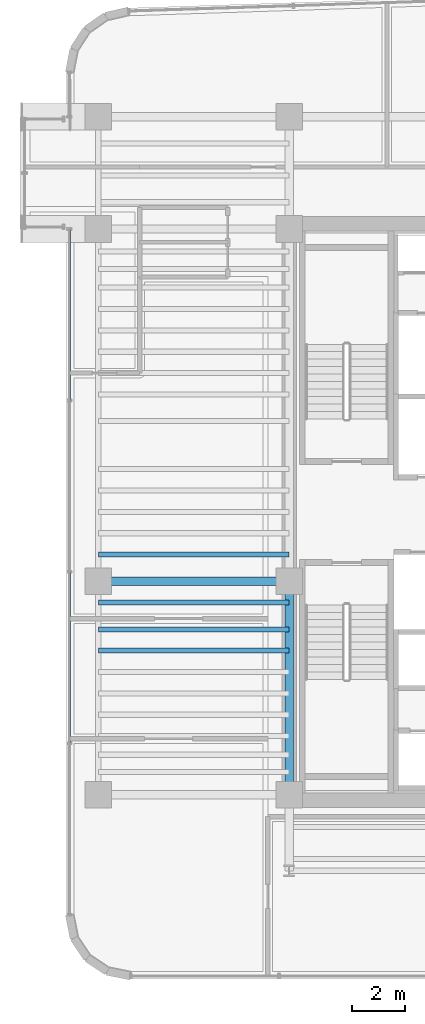
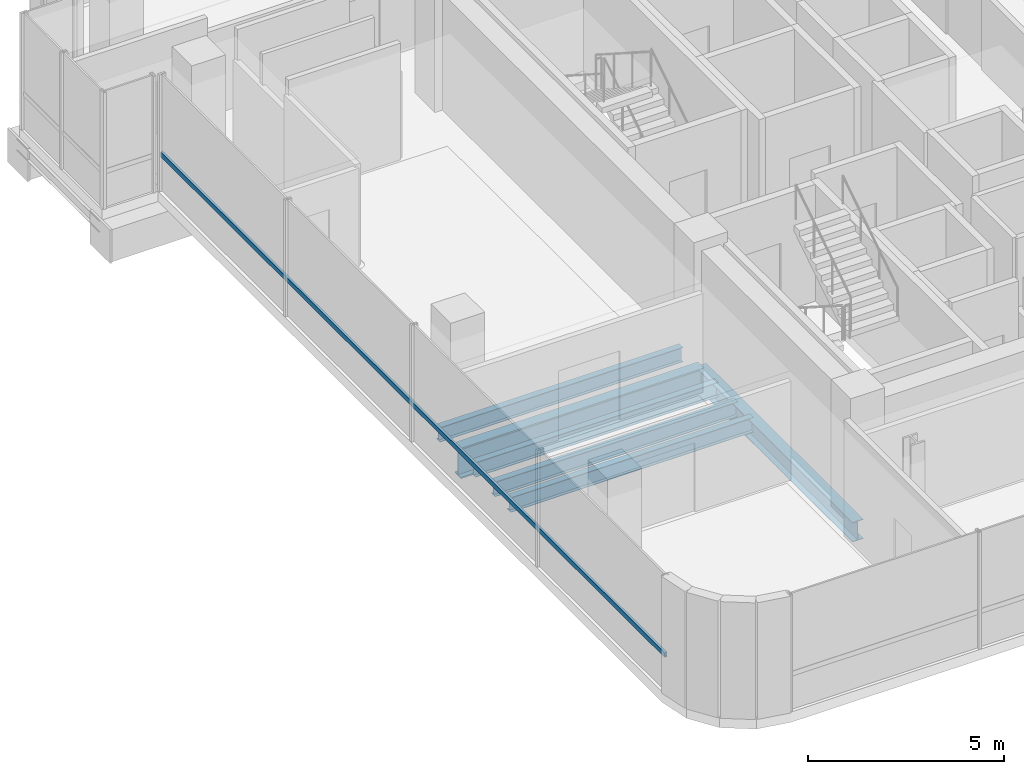
# One storey, part 5 of 37: 6 beams, 1 member, 1 element without a shape of its own.
"""IFC4 building model written with IfcOpenShell, lengths in metres."""

from ifc_helpers import new_model, si_unit, direction, frame, origin, origin_2d, place, context, subcontext, project, spatial, hollow_rectangle, i_section, extrude, source, transform, mapped, material, material_profile, profile_set, type_object, element, aggregate, save


model = new_model("IFC4")

# Units and contexts
model_context = context("Model", 3, precision=1e-05, world=origin(), true_north=direction((0.0, 1.0)))
body_context = subcontext(model_context, "Body", "Model", "MODEL_VIEW")
ifc_project = project(units=[si_unit("LENGTHUNIT", "METRE"), si_unit("AREAUNIT", "SQUARE_METRE"), si_unit("VOLUMEUNIT", "CUBIC_METRE"), si_unit("PLANEANGLEUNIT", "RADIAN"), si_unit("MASSUNIT", "GRAM", prefix="KILO")], contexts=[model_context])

# Site, building, storey
site_placement = place(None, origin())
site = spatial("IfcSite", under=ifc_project, at=site_placement, CompositionType="ELEMENT")
building_placement = place(site_placement, origin())
building = spatial("IfcBuilding", under=site, at=building_placement, Name="Valdorenza Pilgrim Sanctuary Tower", CompositionType="ELEMENT")
storey_placement = place(building_placement, frame((0.0, 0.0, 188.39990234375)))
storey = spatial("IfcBuildingStorey", under=building, at=storey_placement, Name="L48", CompositionType="ELEMENT", Elevation=188.39990234375)

# Beams
ifc_material_1 = material(Name="Steel ASTM A992 Grade 50", Category="steel")
ifc_material_profile_1 = material_profile(ifc_material_1, i_section(OverallWidth=0.323974609375, OverallDepth=0.611083984375, WebThickness=0.0126953125, FlangeThickness=0.01904296875, at=origin_2d()), Name="W24X104")
ifc_profile_set_1 = profile_set([ifc_material_profile_1], Name="Steel ASTM A992 Grade 50")
beam_type_1 = type_object("IfcBeamType", Name="STR-BM-GRD-W24B", PredefinedType="BEAM", material=ifc_profile_set_1)
shared_shape_1 = source(origin(), body_context, "Body", "SweptSolid", [
    extrude(i_section(OverallWidth=0.323974609375, OverallDepth=0.611083984375, WebThickness=0.0126953125, FlangeThickness=0.01904296875, at=origin_2d()), origin(), (0.0, 0.0, 1.0), 8.0),
])
beam_1_placement = place(storey_placement, frame((-22.64990234375, -10.60009765625, -0.62548828125), z_axis=(0.0, 1.0, 0.0), x_axis=(-1.0, 0.0, 0.0)))
element("IfcBeam", 1, at=beam_1_placement, inside=storey, type_object=beam_type_1, Name="L48 Core Tie Girder CA-W-S1M0", PredefinedType="BEAM", context=body_context, shape_type="MappedRepresentation", body=[
    mapped(shared_shape_1, transform((0.0, 0.0, 0.0), x_axis=(1.0, 0.0, 0.0), y_axis=(0.0, 1.0, 0.0), z_axis=(0.0, 0.0, 1.0), scale=1.0)),
])
ifc_material_profile_2 = material_profile(ifc_material_1, i_section(OverallWidth=0.19091796875, OverallDepth=0.45703125, WebThickness=0.009033203125, FlangeThickness=0.014404296875, at=origin_2d()), Name="W18X50")
ifc_profile_set_2 = profile_set([ifc_material_profile_2], Name="Steel ASTM A992 Grade 50")
beam_type_2 = type_object("IfcBeamType", Name="STR-BM-JST-W18B", PredefinedType="JOIST", material=ifc_profile_set_2)
shared_shape_2 = source(origin(), body_context, "Body", "SweptSolid", [
    extrude(i_section(OverallWidth=0.19091796875, OverallDepth=0.45703125, WebThickness=0.009033203125, FlangeThickness=0.014404296875, at=origin_2d()), origin(), (0.0, 0.0, 1.0), 7.150146484375),
])
for number, where, z_axis, x_axis, name in (
    (2, (-29.800048828125, -5.199951171875, -0.54833984375), (1.0, 0.0, 0.0), (0.0, 1.0, 0.0), "L48 Composite Floor Joist JST-WA-7"),
    (3, (-29.800048828125, -4.39990234375, -0.54833984375), (1.0, 0.0, 0.0), (0.0, 1.0, 0.0), "L48 Composite Floor Joist JST-WA-8"),
    (4, (-29.800048828125, -3.39990234375, -0.54833984375), (1.0, 0.0, 0.0), (0.0, 1.0, 0.0), "L48 Composite Floor Joist JST-WA-9"),
    (5, (-29.800048828125, -1.60009765625, -0.54833984375), (1.0, 0.0, 0.0), (0.0, 1.0, 0.0), "L48 Composite Floor Joist JST-WA-10"),
):
    element("IfcBeam", number, at=place(storey_placement, frame(where, z_axis=z_axis, x_axis=x_axis)), inside=storey, type_object=beam_type_2, Name=name, PredefinedType="JOIST", context=body_context, shape_type="MappedRepresentation", body=[
        mapped(shared_shape_2, transform((0.0, 0.0, 0.0), x_axis=(1.0, 0.0, 0.0), y_axis=(0.0, 1.0, 0.0), z_axis=(0.0, 0.0, 1.0), scale=1.0)),
    ])
ifc_material_profile_3 = material_profile(ifc_material_1, i_section(OverallWidth=0.31005859375, OverallDepth=0.949951171875, WebThickness=0.0244140625, FlangeThickness=0.0439453125, at=origin_2d()), Name="W36X256")
ifc_profile_set_3 = profile_set([ifc_material_profile_3], Name="Steel ASTM A992 Grade 50")
beam_type_3 = type_object("IfcBeamType", Name="STR-BM-GRD-W36B", PredefinedType="BEAM", material=ifc_profile_set_3)
shared_shape_3 = source(origin(), body_context, "Body", "SweptSolid", [
    extrude(i_section(OverallWidth=0.31005859375, OverallDepth=0.949951171875, WebThickness=0.0244140625, FlangeThickness=0.0439453125, at=origin_2d()), origin(), (0.0, 0.0, 1.0), 7.150146484375),
])
beam_2_placement = place(storey_placement, frame((-29.800048828125, -2.60009765625, -0.794921875), z_axis=(1.0, 0.0, 0.0), x_axis=(0.0, 1.0, 0.0)))
element("IfcBeam", 6, at=beam_2_placement, inside=storey, type_object=beam_type_3, Name="L48 Floor Girder WA-XW-M0", PredefinedType="BEAM", context=body_context, shape_type="MappedRepresentation", body=[
    mapped(shared_shape_3, transform((0.0, 0.0, 0.0), x_axis=(1.0, 0.0, 0.0), y_axis=(0.0, 1.0, 0.0), z_axis=(0.0, 0.0, 1.0), scale=1.0)),
])

# Curtain wall, member
ifc_material_2 = material(Name="Curtain-wall IGU glazing", Category="glass")
curtain_wall_type = type_object("IfcCurtainWallType", Name="CW-SYS-02", PredefinedType="NOTDEFINED", material=ifc_material_2)
curtain_wall_placement = place(storey_placement, origin())
curtain_wall = element("IfcCurtainWall", 7, at=curtain_wall_placement, inside=storey, type_object=curtain_wall_type, Name="L48 Curtain Wall CW-L48-1-1S1", PredefinedType="NOTDEFINED")
ifc_material_3 = material(Name="Anodised aluminium AW-6060", Category="aluminium")
ifc_material_profile_4 = material_profile(ifc_material_3, hollow_rectangle(XDim=0.074951171875, YDim=0.14990234375, WallThickness=0.00390625, at=origin_2d()), Name="ALU-T 150x75x4")
ifc_profile_set_4 = profile_set([ifc_material_profile_4], Name="Anodised aluminium AW-6060")
member_type = type_object("IfcMemberType", Name="CW-TRN-02", PredefinedType="USERDEFINED", material=ifc_profile_set_4)
shared_shape_4 = source(origin(), body_context, "Body", "SweptSolid", [
    extrude(hollow_rectangle(XDim=0.074951171875, YDim=0.14990234375, WallThickness=0.00390625, at=origin_2d()), origin(), (0.0, 0.0, 1.0), 25.689208984375),
])
member_placement = place(storey_placement, frame((-30.889892578125, -15.089111328125, 1.1201171875), z_axis=(0.0, 1.0, 0.0), x_axis=(-1.0, 0.0, 0.0)))
member = element("IfcMember", 8, at=member_placement, type_object=member_type, Name="CW-L48-1-1S1 Transom 1", ObjectType="TRANSOM", PredefinedType="USERDEFINED", context=body_context, shape_type="MappedRepresentation", body=[
    mapped(shared_shape_4, transform((0.0, 0.0, 0.0), x_axis=(1.0, 0.0, 0.0), y_axis=(0.0, 1.0, 0.0), z_axis=(0.0, 0.0, 1.0), scale=1.0)),
])
aggregate(curtain_wall, [member])

save(model, "model.ifc")
